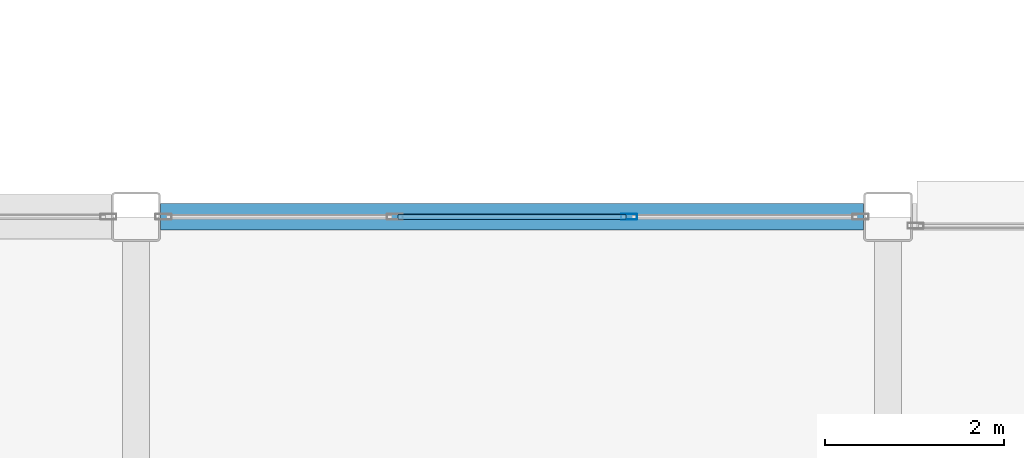
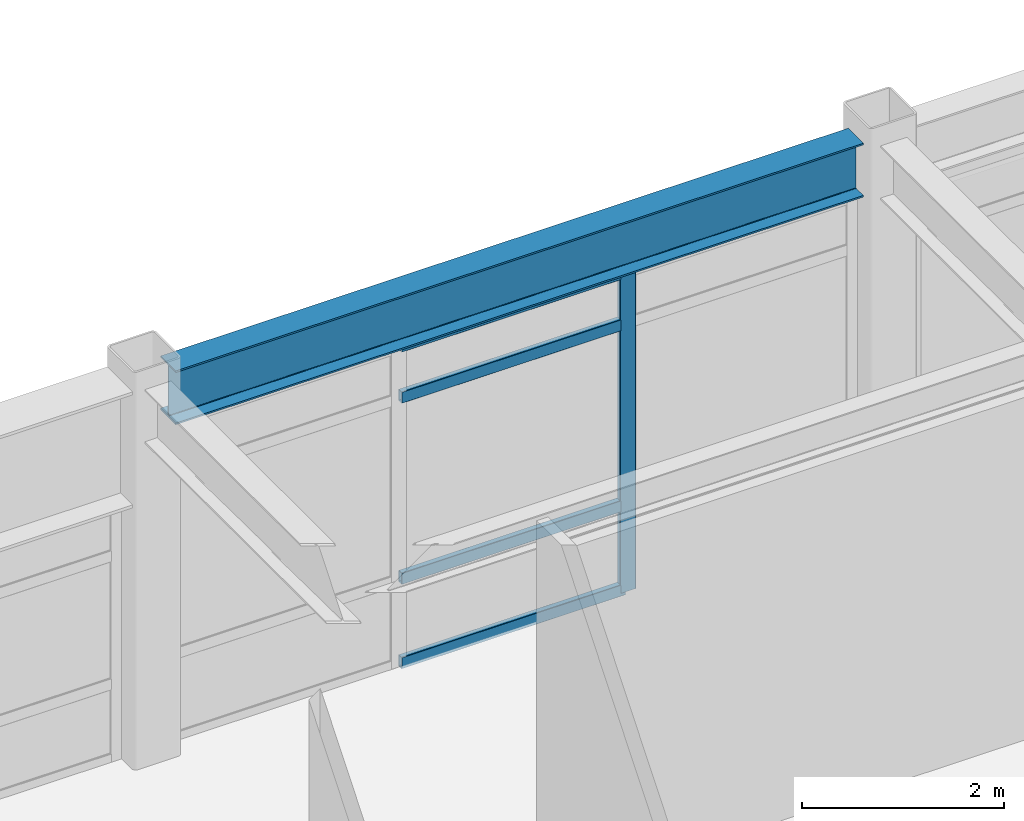
# One storey, part 55 of 154: 5 members, 1 beam, 1 element without a shape of its own.
"""IFC4 building model written with IfcOpenShell, lengths in metres."""

from ifc_helpers import new_model, si_unit, direction, frame, origin, origin_2d, place, context, subcontext, project, spatial, hollow_rectangle, i_section, extrude, material, layer, layer_set, material_profile, profile_set, type_object, element, aggregate, save


model = new_model("IFC4")

# Units and contexts
model_context = context("Model", 3, precision=1e-05, world=origin(), true_north=direction((0.0, 1.0)))
body_context = subcontext(model_context, "Body", "Model", "MODEL_VIEW")
ifc_project = project(units=[si_unit("LENGTHUNIT", "METRE"), si_unit("AREAUNIT", "SQUARE_METRE"), si_unit("VOLUMEUNIT", "CUBIC_METRE"), si_unit("PLANEANGLEUNIT", "RADIAN"), si_unit("MASSUNIT", "GRAM", prefix="KILO")], contexts=[model_context])

# Site, building, storey
site_placement = place(None, origin())
site = spatial("IfcSite", under=ifc_project, at=site_placement, CompositionType="ELEMENT")
building_placement = place(site_placement, origin())
building = spatial("IfcBuilding", under=site, at=building_placement, Name="Kazehara Bluff Congress Hotel", CompositionType="ELEMENT")
storey_placement = place(building_placement, frame((0.0, 0.0, 10.199951171875)))
storey = spatial("IfcBuildingStorey", under=building, at=storey_placement, Name="L02", CompositionType="ELEMENT", Elevation=10.199951171875)

# Curtain wall, members
ifc_material_1 = material(Name="Anodised aluminium", Category="aluminium")
ifc_layer = layer(ifc_material_1, 0.159912109375)
ifc_layer_set = layer_set([ifc_layer], Name="Anodised aluminium")
curtain_wall_type = type_object("IfcCurtainWallType", Name="TP-CW-74", PredefinedType="NOTDEFINED", material=ifc_layer_set)
curtain_wall_placement = place(storey_placement, origin())
curtain_wall = element("IfcCurtainWall", 1, at=curtain_wall_placement, inside=storey, type_object=curtain_wall_type, Name="L02 curtain wall CW-74 CW-V4-L02-Y5645-9312", PredefinedType="NOTDEFINED")
ifc_material_2 = material(Name="Anodised aluminium", Category="aluminium")
ifc_material_profile_1 = material_profile(ifc_material_2, hollow_rectangle(XDim=0.06494140625, YDim=0.179931640625, WallThickness=0.00390625, InnerFilletRadius=0.00390625, OuterFilletRadius=0.008056640625, at=origin_2d()))
ifc_profile_set_1 = profile_set([ifc_material_profile_1], Name="Anodised aluminium")
member_type_1 = type_object("IfcMemberType", Name="TP-CWM-02", PredefinedType="MULLION", material=ifc_profile_set_1)
member_1_placement = place(storey_placement, frame((98.3583984375, 56.449951171875, 0.0), z_axis=(0.0, 0.0, 1.0), x_axis=(0.0, 1.0, 0.0)))
member_1 = element("IfcMember", 2, at=member_1_placement, type_object=member_type_1, Name="CW-74 mullion 3", PredefinedType="MULLION", context=body_context, shape_type="SweptSolid", body=[
    extrude(hollow_rectangle(XDim=0.06494140625, YDim=0.179931640625, WallThickness=0.00390625, InnerFilletRadius=0.00390625, OuterFilletRadius=0.008056640625, at=origin_2d()), origin(), (0.0, 0.0, 1.0), 3.885009765625),
])
ifc_material_3 = material(Name="Anodised aluminium", Category="aluminium")
ifc_material_profile_2 = material_profile(ifc_material_3, hollow_rectangle(XDim=0.06494140625, YDim=0.139892578125, WallThickness=0.00390625, InnerFilletRadius=0.00390625, OuterFilletRadius=0.008056640625, at=origin_2d()))
ifc_profile_set_2 = profile_set([ifc_material_profile_2], Name="Anodised aluminium")
member_type_2 = type_object("IfcMemberType", Name="TP-CWT-02", PredefinedType="USERDEFINED", material=ifc_profile_set_2)
member_2_placement = place(storey_placement, frame((95.774169921875, 56.449951171875, 0.032470703125), z_axis=(1.0, 0.0, 0.0), x_axis=(0.0, 1.0, 0.0)))
member_2 = element("IfcMember", 3, at=member_2_placement, type_object=member_type_2, Name="CW-74 transom 2.1", ObjectType="TRANSOM", PredefinedType="USERDEFINED", context=body_context, shape_type="SweptSolid", body=[
    extrude(hollow_rectangle(XDim=0.06494140625, YDim=0.139892578125, WallThickness=0.00390625, InnerFilletRadius=0.00390625, OuterFilletRadius=0.008056640625, at=origin_2d()), origin(), (0.0, 0.0, 1.0), 2.5517578125),
])
member_3_placement = place(storey_placement, frame((95.774169921875, 56.449951171875, 1.050048828125), z_axis=(1.0, 0.0, 0.0), x_axis=(0.0, 1.0, 0.0)))
member_3 = element("IfcMember", 4, at=member_3_placement, type_object=member_type_2, Name="CW-74 transom 2.2", ObjectType="TRANSOM", PredefinedType="USERDEFINED", context=body_context, shape_type="SweptSolid", body=[
    extrude(hollow_rectangle(XDim=0.06494140625, YDim=0.139892578125, WallThickness=0.00390625, InnerFilletRadius=0.00390625, OuterFilletRadius=0.008056640625, at=origin_2d()), origin(), (0.0, 0.0, 1.0), 2.5517578125),
])
member_4_placement = place(storey_placement, frame((95.774169921875, 56.449951171875, 3.235107421875), z_axis=(1.0, 0.0, 0.0), x_axis=(0.0, 1.0, 0.0)))
member_4 = element("IfcMember", 5, at=member_4_placement, type_object=member_type_2, Name="CW-74 transom 2.3", ObjectType="TRANSOM", PredefinedType="USERDEFINED", context=body_context, shape_type="SweptSolid", body=[
    extrude(hollow_rectangle(XDim=0.06494140625, YDim=0.139892578125, WallThickness=0.00390625, InnerFilletRadius=0.00390625, OuterFilletRadius=0.008056640625, at=origin_2d()), origin(), (0.0, 0.0, 1.0), 2.5517578125),
])
member_5_placement = place(storey_placement, frame((95.774169921875, 56.449951171875, 3.8525390625), z_axis=(1.0, 0.0, 0.0), x_axis=(0.0, 1.0, 0.0)))
member_5 = element("IfcMember", 6, at=member_5_placement, type_object=member_type_2, Name="CW-74 transom 2.4", ObjectType="TRANSOM", PredefinedType="USERDEFINED", context=body_context, shape_type="SweptSolid", body=[
    extrude(hollow_rectangle(XDim=0.06494140625, YDim=0.139892578125, WallThickness=0.00390625, InnerFilletRadius=0.00390625, OuterFilletRadius=0.008056640625, at=origin_2d()), origin(), (0.0, 0.0, 1.0), 2.5517578125),
])
aggregate(curtain_wall, [member_1, member_2, member_3, member_4, member_5])

# Beam
ifc_material_4 = material(Name="Steel SN490B", Category="steel")
ifc_material_profile_3 = material_profile(ifc_material_4, i_section(OverallWidth=0.300048828125, OverallDepth=0.64990234375, WebThickness=0.011962890625, FlangeThickness=0.02001953125, FilletRadius=0.012939453125, at=origin_2d()))
ifc_profile_set_3 = profile_set([ifc_material_profile_3], Name="Steel SN490B")
beam_type = type_object("IfcBeamType", Name="TP-G-03", PredefinedType="BEAM", material=ifc_profile_set_3)
beam_placement = place(storey_placement, frame((93.125, 56.449951171875, 4.235107421875), z_axis=(1.0, 0.0, 0.0), x_axis=(0.0, 1.0, 0.0)))
element("IfcBeam", 7, at=beam_placement, inside=storey, type_object=beam_type, Name="L02 girder G-03 126", PredefinedType="BEAM", context=body_context, shape_type="SweptSolid", body=[
    extrude(i_section(OverallWidth=0.300048828125, OverallDepth=0.64990234375, WebThickness=0.011962890625, FlangeThickness=0.02001953125, FilletRadius=0.012939453125, at=origin_2d()), origin(), (0.0, 0.0, 1.0), 7.85009765625),
])

save(model, "model.ifc")
